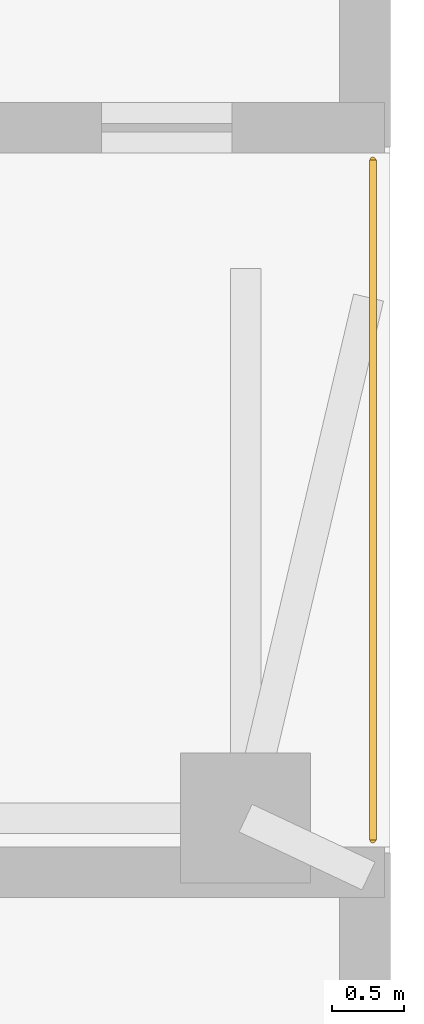
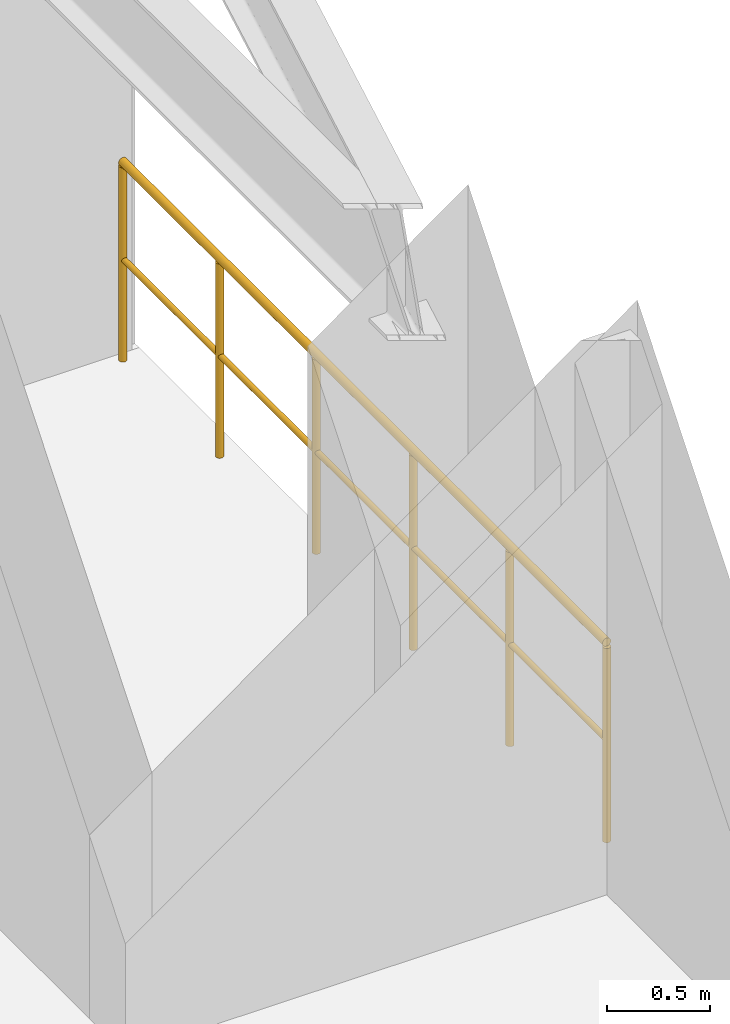
# One storey, part 9 of 9: 1 railing.
"""IFC4 building model written with IfcOpenShell, lengths in metres."""

from ifc_helpers import new_model, si_unit, direction, frame, origin, origin_2d, place, context, subcontext, project, spatial, circle, extrude, material, type_object, element, save


model = new_model("IFC4")

# Units and contexts
model_context = context("Model", 3, precision=1e-05, world=origin(), true_north=direction((0.0, 1.0)))
body_context = subcontext(model_context, "Body", "Model", "MODEL_VIEW")
ifc_project = project(units=[si_unit("LENGTHUNIT", "METRE"), si_unit("AREAUNIT", "SQUARE_METRE"), si_unit("VOLUMEUNIT", "CUBIC_METRE"), si_unit("PLANEANGLEUNIT", "RADIAN"), si_unit("MASSUNIT", "GRAM", prefix="KILO")], contexts=[model_context])

# Site, building, storey
site_placement = place(None, origin())
site = spatial("IfcSite", under=ifc_project, at=site_placement, CompositionType="ELEMENT")
building_placement = place(site_placement, origin())
building = spatial("IfcBuilding", under=site, at=building_placement, Name="Ventersveld Concourse Tower", CompositionType="ELEMENT")
storey_placement = place(building_placement, frame((0.0, 0.0, 100.300048828125)))
storey = spatial("IfcBuildingStorey", under=building, at=storey_placement, Name="L24", CompositionType="ELEMENT", Elevation=100.300048828125)

# Railing
ifc_material = material(Name="Brushed stainless steel 316", Category="steel")
railing_type = type_object("IfcRailingType", Name="GD-TER-120", PredefinedType="GUARDRAIL", material=ifc_material)
railing_placement = place(storey_placement, frame((54.780029296875, 23.449951171875, 0.0)))
element("IfcRailing", 1, at=railing_placement, inside=storey, type_object=railing_type, Name="L24 Outdoor Terrace Guardrail NOTCH-E", PredefinedType="GUARDRAIL", context=body_context, shape_type="SweptSolid", body=[
    extrude(circle(Radius=0.02392578125, at=origin_2d()), frame((0.0, 0.0, 1.17578125), z_axis=(0.0, 1.0, 0.0), x_axis=(-1.0, 0.0, 0.0)), (0.0, 0.0, 1.0), 4.699951171875),
    extrude(circle(Radius=0.01611328125, at=origin_2d()), frame((0.0, 0.0, 0.60009765625), z_axis=(0.0, 1.0, 0.0), x_axis=(-1.0, 0.0, 0.0)), (0.0, 0.0, 1.0), 4.699951171875),
    extrude(circle(Radius=0.02099609375, at=origin_2d()), origin(), (0.0, 0.0, 1.0), 1.15185546875),
    extrude(circle(Radius=0.02099609375, at=origin_2d()), frame((0.0, 0.93994140625, 0.0)), (0.0, 0.0, 1.0), 1.15185546875),
    extrude(circle(Radius=0.02099609375, at=origin_2d()), frame((0.0, 1.8798828125, 0.0)), (0.0, 0.0, 1.0), 1.15185546875),
    extrude(circle(Radius=0.02099609375, at=origin_2d()), frame((0.0, 2.820068359375, 0.0)), (0.0, 0.0, 1.0), 1.15185546875),
    extrude(circle(Radius=0.02099609375, at=origin_2d()), frame((0.0, 3.760009765625, 0.0)), (0.0, 0.0, 1.0), 1.15185546875),
    extrude(circle(Radius=0.02099609375, at=origin_2d()), frame((0.0, 4.699951171875, 0.0)), (0.0, 0.0, 1.0), 1.15185546875),
])

save(model, "model.ifc")
